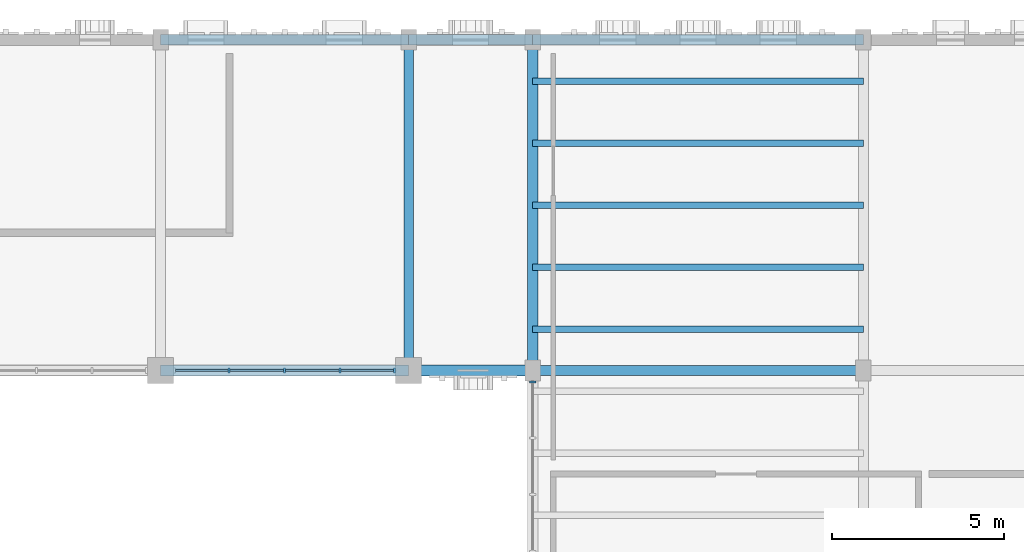
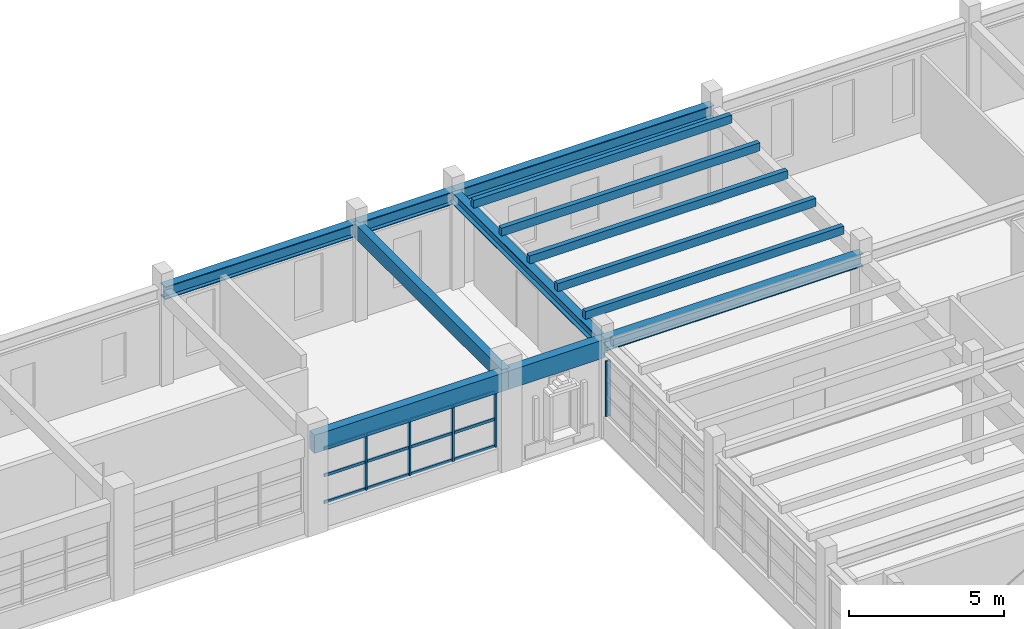
# One storey, part 25 of 69: 22 members, 8 beams, 2 elements without a shape of their own.
"""IFC4 building model written with IfcOpenShell, lengths in metres."""

from ifc_helpers import new_model, si_unit, direction, frame, origin, origin_2d, place, context, subcontext, project, spatial, rectangle, i_section, extrude, material, material_profile, profile_set, type_object, element, aggregate, save


model = new_model("IFC4")

# Units and contexts
model_context = context("Model", 3, precision=1e-05, world=origin(), true_north=direction((0.0, 1.0)))
body_context = subcontext(model_context, "Body", "Model", "MODEL_VIEW")
ifc_project = project(units=[si_unit("LENGTHUNIT", "METRE"), si_unit("AREAUNIT", "SQUARE_METRE"), si_unit("VOLUMEUNIT", "CUBIC_METRE"), si_unit("PLANEANGLEUNIT", "RADIAN"), si_unit("MASSUNIT", "GRAM", prefix="KILO")], contexts=[model_context])

# Site, building, storey
site_placement = place(None, origin())
site = spatial("IfcSite", under=ifc_project, at=site_placement, CompositionType="ELEMENT")
building_placement = place(site_placement, origin())
building = spatial("IfcBuilding", under=site, at=building_placement, Name="Nzembalo Square Collegiate School", CompositionType="ELEMENT")
storey_placement = place(building_placement, frame((0.0, 0.0, 5.10009765625)))
storey = spatial("IfcBuildingStorey", under=building, at=storey_placement, Name="L01", CompositionType="ELEMENT", Elevation=5.10009765625)

# Beams
ifc_material_1 = material(Name="Glulam GL32h", Category="wood")
ifc_material_profile_1 = material_profile(ifc_material_1, rectangle(XDim=0.320068359375, YDim=0.719970703125, at=origin_2d()), Name="GL32h 320x720")
ifc_profile_set_1 = profile_set([ifc_material_profile_1], Name="Glulam GL32h")
beam_type_1 = type_object("IfcBeamType", Name="B03", PredefinedType="BEAM", material=ifc_profile_set_1)
beam_1_placement = place(storey_placement, frame((120.0, 104.39990234375, 3.389892578125), z_axis=(1.0, 0.0, 0.0), x_axis=(0.0, 1.0, 0.0)))
element("IfcBeam", 1, at=beam_1_placement, inside=storey, type_object=beam_type_1, Name="Beam B03 L01", PredefinedType="BEAM", context=body_context, shape_type="SweptSolid", body=[
    extrude(rectangle(XDim=0.320068359375, YDim=0.719970703125, at=origin_2d()), origin(), (0.0, 0.0, 1.0), 7.199951171875),
])
beam_2_placement = place(storey_placement, frame((127.199951171875, 104.39990234375, 3.389892578125), z_axis=(1.0, 0.0, 0.0), x_axis=(0.0, 1.0, 0.0)))
element("IfcBeam", 2, at=beam_2_placement, inside=storey, type_object=beam_type_1, Name="Beam B03 L01", PredefinedType="BEAM", context=body_context, shape_type="SweptSolid", body=[
    extrude(rectangle(XDim=0.320068359375, YDim=0.719970703125, at=origin_2d()), origin(), (0.0, 0.0, 1.0), 3.60009765625),
])
ifc_material_2 = material(Name="Glulam GL28h", Category="wood")
ifc_material_profile_2 = material_profile(ifc_material_2, rectangle(XDim=0.280029296875, YDim=0.56005859375, at=origin_2d()), Name="GL28h 280x560")
ifc_profile_set_2 = profile_set([ifc_material_profile_2], Name="Glulam GL28h")
beam_type_2 = type_object("IfcBeamType", Name="B05", PredefinedType="BEAM", material=ifc_profile_set_2)
beam_3_placement = place(storey_placement, frame((127.199951171875, 104.39990234375, 3.469970703125), z_axis=(0.0, 1.0, 0.0), x_axis=(-1.0, 0.0, 0.0)))
element("IfcBeam", 3, at=beam_3_placement, inside=storey, type_object=beam_type_2, Name="Beam B05 L01", PredefinedType="BEAM", context=body_context, shape_type="SweptSolid", body=[
    extrude(rectangle(XDim=0.280029296875, YDim=0.56005859375, at=origin_2d()), origin(), (0.0, 0.0, 1.0), 9.60009765625),
])
ifc_material_3 = material(Name="Steel S355", Category="steel")
ifc_material_profile_3 = material_profile(ifc_material_3, i_section(OverallWidth=0.300048828125, OverallDepth=0.5, WebThickness=0.014404296875, FlangeThickness=0.028076171875, at=origin_2d()), Name="HEB 500")
ifc_profile_set_3 = profile_set([ifc_material_profile_3], Name="Steel S355")
beam_type_3 = type_object("IfcBeamType", Name="B07", PredefinedType="BEAM", material=ifc_profile_set_3)
beam_4_placement = place(storey_placement, frame((130.800048828125, 104.39990234375, 3.5), z_axis=(1.0, 0.0, 0.0), x_axis=(0.0, 1.0, 0.0)))
element("IfcBeam", 4, at=beam_4_placement, inside=storey, type_object=beam_type_3, Name="Beam B07 L01", PredefinedType="BEAM", context=body_context, shape_type="SweptSolid", body=[
    extrude(i_section(OverallWidth=0.300048828125, OverallDepth=0.5, WebThickness=0.014404296875, FlangeThickness=0.028076171875, at=origin_2d()), origin(), (0.0, 0.0, 1.0), 9.599853515625),
])
beam_5_placement = place(storey_placement, frame((120.0, 114.0, 3.5), z_axis=(1.0, 0.0, 0.0), x_axis=(0.0, 1.0, 0.0)))
element("IfcBeam", 5, at=beam_5_placement, inside=storey, type_object=beam_type_3, Name="Beam B07 L01", PredefinedType="BEAM", context=body_context, shape_type="SweptSolid", body=[
    extrude(i_section(OverallWidth=0.300048828125, OverallDepth=0.5, WebThickness=0.014404296875, FlangeThickness=0.028076171875, at=origin_2d()), origin(), (0.0, 0.0, 1.0), 7.199951171875),
])
beam_6_placement = place(storey_placement, frame((127.199951171875, 114.0, 3.5), z_axis=(1.0, 0.0, 0.0), x_axis=(0.0, 1.0, 0.0)))
element("IfcBeam", 6, at=beam_6_placement, inside=storey, type_object=beam_type_3, Name="Beam B07 L01", PredefinedType="BEAM", context=body_context, shape_type="SweptSolid", body=[
    extrude(i_section(OverallWidth=0.300048828125, OverallDepth=0.5, WebThickness=0.014404296875, FlangeThickness=0.028076171875, at=origin_2d()), origin(), (0.0, 0.0, 1.0), 3.60009765625),
])
beam_7_placement = place(storey_placement, frame((130.800048828125, 114.0, 3.5), z_axis=(1.0, 0.0, 0.0), x_axis=(0.0, 1.0, 0.0)))
element("IfcBeam", 7, at=beam_7_placement, inside=storey, type_object=beam_type_3, Name="Beam B07 L01", PredefinedType="BEAM", context=body_context, shape_type="SweptSolid", body=[
    extrude(i_section(OverallWidth=0.300048828125, OverallDepth=0.5, WebThickness=0.014404296875, FlangeThickness=0.028076171875, at=origin_2d()), origin(), (0.0, 0.0, 1.0), 9.599853515625),
])
ifc_material_4 = material(Name="Steel S355", Category="steel")
ifc_material_profile_4 = material_profile(ifc_material_4, i_section(OverallWidth=0.300048828125, OverallDepth=0.449951171875, WebThickness=0.013916015625, FlangeThickness=0.02587890625, at=origin_2d()), Name="HEB 450")
ifc_profile_set_4 = profile_set([ifc_material_profile_4], Name="Steel S355")
beam_type_4 = type_object("IfcBeamType", Name="B08", PredefinedType="BEAM", material=ifc_profile_set_4)
beam_8_placement = place(storey_placement, frame((130.800048828125, 104.39990234375, 3.52490234375), z_axis=(0.0, 1.0, 0.0), x_axis=(-1.0, 0.0, 0.0)))
element("IfcBeam", 8, at=beam_8_placement, inside=storey, type_object=beam_type_4, Name="Beam B08 L01", PredefinedType="BEAM", context=body_context, shape_type="SweptSolid", body=[
    extrude(i_section(OverallWidth=0.300048828125, OverallDepth=0.449951171875, WebThickness=0.013916015625, FlangeThickness=0.02587890625, at=origin_2d()), origin(), (0.0, 0.0, 1.0), 9.60009765625),
])

# Curtain wall, member
ifc_material_5 = material(Name="Aluminium 6060-T66", Category="aluminium")
curtain_wall_type_1 = type_object("IfcCurtainWallType", Name="CW-02", PredefinedType="USERDEFINED", material=ifc_material_5)
curtain_wall_1_placement = place(storey_placement, origin())
curtain_wall_1 = element("IfcCurtainWall", 9, at=curtain_wall_1_placement, inside=storey, type_object=curtain_wall_type_1, Name="Curtain wall CW-02 cw:L01:073", ObjectType="UNITISED", PredefinedType="USERDEFINED")
ifc_material_6 = material(Name="Aluminium 6060-T66", Category="aluminium")
ifc_material_profile_5 = material_profile(ifc_material_6, rectangle(XDim=0.06005859375, YDim=0.179931640625, at=origin_2d()), Name="ALU M60x180")
ifc_profile_set_5 = profile_set([ifc_material_profile_5], Name="Aluminium 6060-T66")
member_type_1 = type_object("IfcMemberType", Name="ML01", PredefinedType="MULLION", material=ifc_profile_set_5)
member_1_placement = place(storey_placement, frame((130.800048828125, 104.068115234375, 0.849853515625), z_axis=(0.0, 0.0, 1.0), x_axis=(0.0, 1.0, 0.0)))
member_1 = element("IfcMember", 10, at=member_1_placement, type_object=member_type_1, Name="ML01 mullion 5", PredefinedType="MULLION", context=body_context, shape_type="SweptSolid", body=[
    extrude(rectangle(XDim=0.06005859375, YDim=0.179931640625, at=origin_2d()), origin(), (0.0, 0.0, 1.0), 2.174072265625),
])
aggregate(curtain_wall_1, [member_1])

# Curtain wall, members
ifc_material_7 = material(Name="Aluminium 6060-T66", Category="aluminium")
curtain_wall_type_2 = type_object("IfcCurtainWallType", Name="CW-07", PredefinedType="USERDEFINED", material=ifc_material_7)
curtain_wall_2_placement = place(storey_placement, origin())
curtain_wall_2 = element("IfcCurtainWall", 11, at=curtain_wall_2_placement, inside=storey, type_object=curtain_wall_type_2, Name="Curtain wall CW-07 cw:L01:078", ObjectType="LANCET", PredefinedType="USERDEFINED")
ifc_material_8 = material(Name="Aluminium 6060-T66", Category="aluminium")
ifc_material_profile_6 = material_profile(ifc_material_8, rectangle(XDim=0.06005859375, YDim=0.14990234375, at=origin_2d()), Name="ALU M60x150")
ifc_profile_set_6 = profile_set([ifc_material_profile_6], Name="Aluminium 6060-T66")
member_type_2 = type_object("IfcMemberType", Name="ML02", PredefinedType="MULLION", material=ifc_profile_set_6)
member_2_placement = place(storey_placement, frame((121.988525390625, 104.39990234375, 0.849853515625), z_axis=(0.0, 0.0, 1.0), x_axis=(1.0, 0.0, 0.0)))
member_2 = element("IfcMember", 12, at=member_2_placement, type_object=member_type_2, Name="ML02 mullion 2", PredefinedType="MULLION", context=body_context, shape_type="SweptSolid", body=[
    extrude(rectangle(XDim=0.06005859375, YDim=0.14990234375, at=origin_2d()), origin(), (0.0, 0.0, 1.0), 2.174072265625),
])
member_3_placement = place(storey_placement, frame((123.60009765625, 104.39990234375, 0.849853515625), z_axis=(0.0, 0.0, 1.0), x_axis=(1.0, 0.0, 0.0)))
member_3 = element("IfcMember", 13, at=member_3_placement, type_object=member_type_2, Name="ML02 mullion 3", PredefinedType="MULLION", context=body_context, shape_type="SweptSolid", body=[
    extrude(rectangle(XDim=0.06005859375, YDim=0.14990234375, at=origin_2d()), origin(), (0.0, 0.0, 1.0), 2.174072265625),
])
member_4_placement = place(storey_placement, frame((125.21142578125, 104.39990234375, 0.849853515625), z_axis=(0.0, 0.0, 1.0), x_axis=(1.0, 0.0, 0.0)))
member_4 = element("IfcMember", 14, at=member_4_placement, type_object=member_type_2, Name="ML02 mullion 4", PredefinedType="MULLION", context=body_context, shape_type="SweptSolid", body=[
    extrude(rectangle(XDim=0.06005859375, YDim=0.14990234375, at=origin_2d()), origin(), (0.0, 0.0, 1.0), 2.174072265625),
])
member_5_placement = place(storey_placement, frame((126.79296875, 104.39990234375, 0.849853515625), z_axis=(0.0, 0.0, 1.0), x_axis=(1.0, 0.0, 0.0)))
member_5 = element("IfcMember", 15, at=member_5_placement, type_object=member_type_2, Name="ML02 mullion 5", PredefinedType="MULLION", context=body_context, shape_type="SweptSolid", body=[
    extrude(rectangle(XDim=0.06005859375, YDim=0.14990234375, at=origin_2d()), origin(), (0.0, 0.0, 1.0), 2.174072265625),
])
ifc_material_9 = material(Name="Aluminium 6060-T66", Category="aluminium")
ifc_material_profile_7 = material_profile(ifc_material_9, rectangle(XDim=0.06005859375, YDim=0.110107421875, at=origin_2d()), Name="ALU T60x110")
ifc_profile_set_7 = profile_set([ifc_material_profile_7], Name="Aluminium 6060-T66")
member_type_3 = type_object("IfcMemberType", Name="TR02", PredefinedType="USERDEFINED", material=ifc_profile_set_7)
member_6_placement = place(storey_placement, frame((120.43701171875, 104.39990234375, 0.8798828125), z_axis=(1.0, 0.0, 0.0), x_axis=(0.0, 1.0, 0.0)))
member_6 = element("IfcMember", 16, at=member_6_placement, type_object=member_type_3, Name="TR02 transom 1-1", ObjectType="TRANSOM", PredefinedType="USERDEFINED", context=body_context, shape_type="SweptSolid", body=[
    extrude(rectangle(XDim=0.06005859375, YDim=0.110107421875, at=origin_2d()), origin(), (0.0, 0.0, 1.0), 1.521484375),
])
member_7_placement = place(storey_placement, frame((122.0185546875, 104.39990234375, 0.8798828125), z_axis=(1.0, 0.0, 0.0), x_axis=(0.0, 1.0, 0.0)))
member_7 = element("IfcMember", 17, at=member_7_placement, type_object=member_type_3, Name="TR02 transom 1-2", ObjectType="TRANSOM", PredefinedType="USERDEFINED", context=body_context, shape_type="SweptSolid", body=[
    extrude(rectangle(XDim=0.06005859375, YDim=0.110107421875, at=origin_2d()), origin(), (0.0, 0.0, 1.0), 1.551513671875),
])
member_8_placement = place(storey_placement, frame((123.6298828125, 104.39990234375, 0.8798828125), z_axis=(1.0, 0.0, 0.0), x_axis=(0.0, 1.0, 0.0)))
member_8 = element("IfcMember", 18, at=member_8_placement, type_object=member_type_3, Name="TR02 transom 1-3", ObjectType="TRANSOM", PredefinedType="USERDEFINED", context=body_context, shape_type="SweptSolid", body=[
    extrude(rectangle(XDim=0.06005859375, YDim=0.110107421875, at=origin_2d()), origin(), (0.0, 0.0, 1.0), 1.551513671875),
])
member_9_placement = place(storey_placement, frame((125.241455078125, 104.39990234375, 0.8798828125), z_axis=(1.0, 0.0, 0.0), x_axis=(0.0, 1.0, 0.0)))
member_9 = element("IfcMember", 19, at=member_9_placement, type_object=member_type_3, Name="TR02 transom 1-4", ObjectType="TRANSOM", PredefinedType="USERDEFINED", context=body_context, shape_type="SweptSolid", body=[
    extrude(rectangle(XDim=0.06005859375, YDim=0.110107421875, at=origin_2d()), origin(), (0.0, 0.0, 1.0), 1.521484375),
])
member_10_placement = place(storey_placement, frame((120.43701171875, 104.39990234375, 1.93701171875), z_axis=(1.0, 0.0, 0.0), x_axis=(0.0, 1.0, 0.0)))
member_10 = element("IfcMember", 20, at=member_10_placement, type_object=member_type_3, Name="TR02 transom 2-1", ObjectType="TRANSOM", PredefinedType="USERDEFINED", context=body_context, shape_type="SweptSolid", body=[
    extrude(rectangle(XDim=0.06005859375, YDim=0.110107421875, at=origin_2d()), origin(), (0.0, 0.0, 1.0), 1.521484375),
])
member_11_placement = place(storey_placement, frame((122.0185546875, 104.39990234375, 1.93701171875), z_axis=(1.0, 0.0, 0.0), x_axis=(0.0, 1.0, 0.0)))
member_11 = element("IfcMember", 21, at=member_11_placement, type_object=member_type_3, Name="TR02 transom 2-2", ObjectType="TRANSOM", PredefinedType="USERDEFINED", context=body_context, shape_type="SweptSolid", body=[
    extrude(rectangle(XDim=0.06005859375, YDim=0.110107421875, at=origin_2d()), origin(), (0.0, 0.0, 1.0), 1.551513671875),
])
member_12_placement = place(storey_placement, frame((123.6298828125, 104.39990234375, 1.93701171875), z_axis=(1.0, 0.0, 0.0), x_axis=(0.0, 1.0, 0.0)))
member_12 = element("IfcMember", 22, at=member_12_placement, type_object=member_type_3, Name="TR02 transom 2-3", ObjectType="TRANSOM", PredefinedType="USERDEFINED", context=body_context, shape_type="SweptSolid", body=[
    extrude(rectangle(XDim=0.06005859375, YDim=0.110107421875, at=origin_2d()), origin(), (0.0, 0.0, 1.0), 1.551513671875),
])
member_13_placement = place(storey_placement, frame((125.241455078125, 104.39990234375, 1.93701171875), z_axis=(1.0, 0.0, 0.0), x_axis=(0.0, 1.0, 0.0)))
member_13 = element("IfcMember", 23, at=member_13_placement, type_object=member_type_3, Name="TR02 transom 2-4", ObjectType="TRANSOM", PredefinedType="USERDEFINED", context=body_context, shape_type="SweptSolid", body=[
    extrude(rectangle(XDim=0.06005859375, YDim=0.110107421875, at=origin_2d()), origin(), (0.0, 0.0, 1.0), 1.521484375),
])
member_14_placement = place(storey_placement, frame((120.43701171875, 104.39990234375, 2.993896484375), z_axis=(1.0, 0.0, 0.0), x_axis=(0.0, 1.0, 0.0)))
member_14 = element("IfcMember", 24, at=member_14_placement, type_object=member_type_3, Name="TR02 transom 3-1", ObjectType="TRANSOM", PredefinedType="USERDEFINED", context=body_context, shape_type="SweptSolid", body=[
    extrude(rectangle(XDim=0.06005859375, YDim=0.110107421875, at=origin_2d()), origin(), (0.0, 0.0, 1.0), 1.521484375),
])
member_15_placement = place(storey_placement, frame((122.0185546875, 104.39990234375, 2.993896484375), z_axis=(1.0, 0.0, 0.0), x_axis=(0.0, 1.0, 0.0)))
member_15 = element("IfcMember", 25, at=member_15_placement, type_object=member_type_3, Name="TR02 transom 3-2", ObjectType="TRANSOM", PredefinedType="USERDEFINED", context=body_context, shape_type="SweptSolid", body=[
    extrude(rectangle(XDim=0.06005859375, YDim=0.110107421875, at=origin_2d()), origin(), (0.0, 0.0, 1.0), 1.551513671875),
])
member_16_placement = place(storey_placement, frame((123.6298828125, 104.39990234375, 2.993896484375), z_axis=(1.0, 0.0, 0.0), x_axis=(0.0, 1.0, 0.0)))
member_16 = element("IfcMember", 26, at=member_16_placement, type_object=member_type_3, Name="TR02 transom 3-3", ObjectType="TRANSOM", PredefinedType="USERDEFINED", context=body_context, shape_type="SweptSolid", body=[
    extrude(rectangle(XDim=0.06005859375, YDim=0.110107421875, at=origin_2d()), origin(), (0.0, 0.0, 1.0), 1.551513671875),
])
member_17_placement = place(storey_placement, frame((125.241455078125, 104.39990234375, 2.993896484375), z_axis=(1.0, 0.0, 0.0), x_axis=(0.0, 1.0, 0.0)))
member_17 = element("IfcMember", 27, at=member_17_placement, type_object=member_type_3, Name="TR02 transom 3-4", ObjectType="TRANSOM", PredefinedType="USERDEFINED", context=body_context, shape_type="SweptSolid", body=[
    extrude(rectangle(XDim=0.06005859375, YDim=0.110107421875, at=origin_2d()), origin(), (0.0, 0.0, 1.0), 1.521484375),
])
aggregate(curtain_wall_2, [member_2, member_3, member_4, member_5, member_6, member_7, member_8, member_9, member_10, member_11, member_12, member_13, member_14, member_15, member_16, member_17])

# Members
ifc_material_10 = material(Name="Glulam GL28h", Category="wood")
ifc_material_profile_8 = material_profile(ifc_material_10, rectangle(XDim=0.179931640625, YDim=0.320068359375, at=origin_2d()), Name="GL28h 180x320")
ifc_profile_set_8 = profile_set([ifc_material_profile_8], Name="Glulam GL28h")
member_type_4 = type_object("IfcMemberType", Name="PR01", PredefinedType="PURLIN", material=ifc_profile_set_8)
for number, where, z_axis, x_axis, name in (
    (28, (130.800048828125, 105.60009765625, 3.89990234375), (1.0, 0.0, 0.0), (0.0, 1.0, 0.0), "Planted roof purlin PR01-ENW-09"),
    (29, (130.800048828125, 107.39990234375, 3.89990234375), (1.0, 0.0, 0.0), (0.0, 1.0, 0.0), "Planted roof purlin PR01-ENW-10"),
    (30, (130.800048828125, 109.199951171875, 3.89990234375), (1.0, 0.0, 0.0), (0.0, 1.0, 0.0), "Planted roof purlin PR01-ENW-11"),
    (31, (130.800048828125, 111.0, 3.89990234375), (1.0, 0.0, 0.0), (0.0, 1.0, 0.0), "Planted roof purlin PR01-ENW-12"),
    (32, (130.800048828125, 112.800048828125, 3.89990234375), (1.0, 0.0, 0.0), (0.0, 1.0, 0.0), "Planted roof purlin PR01-ENW-13"),
):
    element("IfcMember", number, at=place(storey_placement, frame(where, z_axis=z_axis, x_axis=x_axis)), inside=storey, type_object=member_type_4, Name=name, PredefinedType="PURLIN", context=body_context, shape_type="SweptSolid", body=[
        extrude(rectangle(XDim=0.179931640625, YDim=0.320068359375, at=origin_2d()), origin(), (0.0, 0.0, 1.0), 9.599853515625),
    ])

save(model, "model.ifc")
